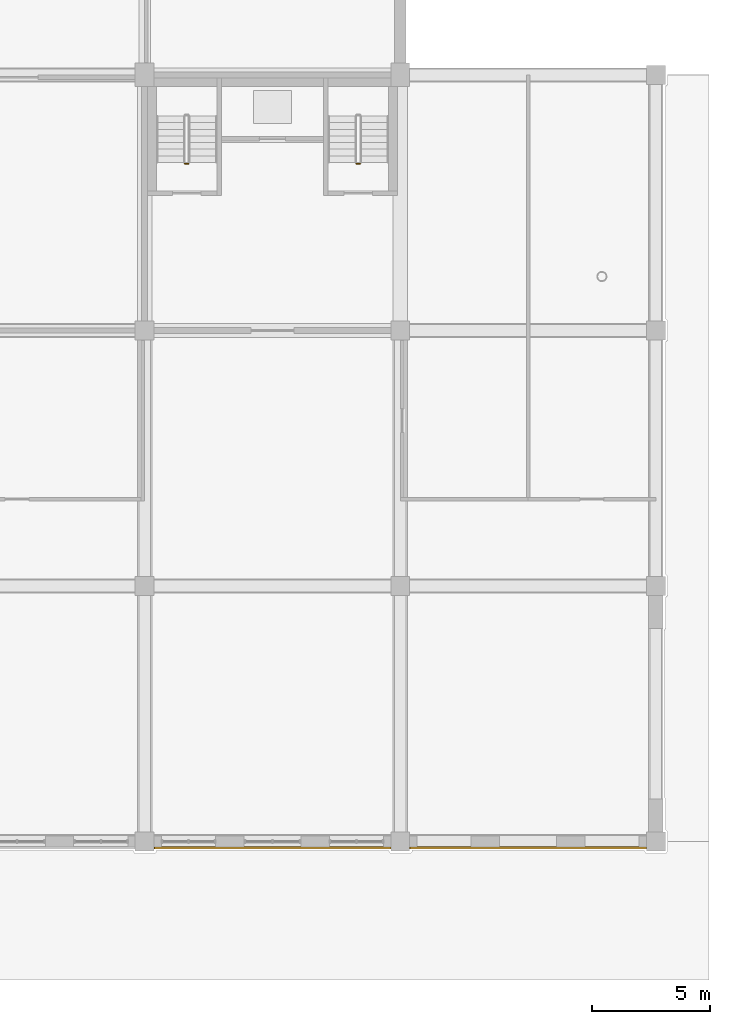
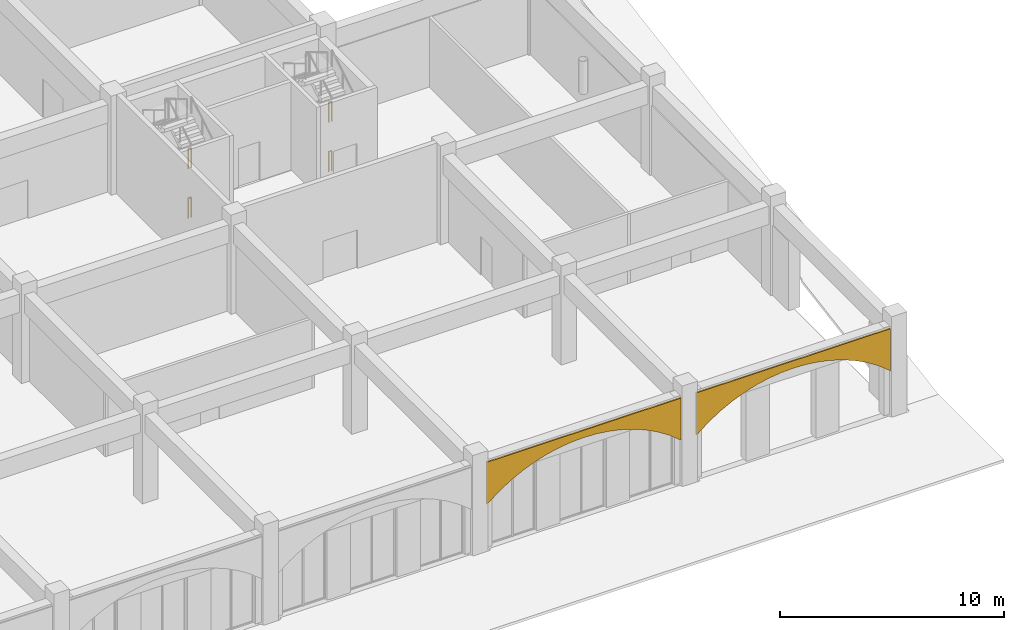
# One storey, part 93 of 101: 4 railings, 2 coverings.
"""IFC4 building model written with IfcOpenShell, lengths in metres."""

from ifc_helpers import new_model, si_unit, direction, frame, origin, origin_2d, place, context, subcontext, project, spatial, polyline, circle, outline, extrude, material, layer, layer_set, type_object, element, save


model = new_model("IFC4")

# Units and contexts
model_context = context("Model", 3, precision=1e-05, world=origin(), true_north=direction((0.0, 1.0)))
body_context = subcontext(model_context, "Body", "Model", "MODEL_VIEW")
ifc_project = project(units=[si_unit("LENGTHUNIT", "METRE"), si_unit("AREAUNIT", "SQUARE_METRE"), si_unit("VOLUMEUNIT", "CUBIC_METRE"), si_unit("PLANEANGLEUNIT", "RADIAN"), si_unit("MASSUNIT", "GRAM", prefix="KILO")], contexts=[model_context])

# Site, building, storey
site_placement = place(None, origin())
site = spatial("IfcSite", under=ifc_project, at=site_placement, CompositionType="ELEMENT")
building_placement = place(site_placement, origin())
building = spatial("IfcBuilding", under=site, at=building_placement, Name="Magnolia Steps Interchange", CompositionType="ELEMENT")
storey_placement = place(building_placement, frame((0.0, 0.0, -5.39990234375)))
storey = spatial("IfcBuildingStorey", under=building, at=storey_placement, Name="B1", CompositionType="ELEMENT", Elevation=-5.39990234375)

# Coverings
ifc_material_1 = material(Name="Lime render")
ifc_layer = layer(ifc_material_1, 0.080078125)
ifc_layer_set = layer_set([ifc_layer], Name="Lime render arch infill")
covering_type = type_object("IfcCoveringType", Name="Lime render arch infill", PredefinedType="CLADDING", material=ifc_layer_set)
for number, where, z_axis, x_axis, name in (
    (1, (172.39990234375, 9.77490234375, 2.39990234375), (0.0, 1.0, 0.0), (0.0, 0.0, 1.0), "Arch spandrel south edge 13"),
    (2, (183.199951171875, 9.77490234375, 2.39990234375), (0.0, 1.0, 0.0), (0.0, 0.0, 1.0), "Arch spandrel south edge 14"),
):
    element("IfcCovering", number, at=place(storey_placement, frame(where, z_axis=z_axis, x_axis=x_axis)), inside=storey, type_object=covering_type, Name=name, PredefinedType="CLADDING", context=body_context, shape_type="SweptSolid", body=[
        extrude(outline(polyline([(0.0, 0.0), (2.300048828, 0.0), (2.300048828, 10.0), (0.0, 10.0), (0.498291016, 9.375), (0.899658203, 8.75), (1.220703125, 8.125), (1.472900391, 7.5), (1.662841797, 6.875), (1.795410156, 6.25), (1.874023438, 5.625), (1.899902344, 5.0), (1.874023438, 4.375), (1.795410156, 3.75), (1.662841797, 3.125), (1.472900391, 2.5), (1.220703125, 1.875), (0.899658203, 1.25), (0.498291016, 0.625), (0.0, 0.0)])), origin(), (0.0, 0.0, -1.0), 0.080078125),
    ])

# Railings
ifc_material_2 = material(Name="Stainless steel grade 304", Category="steel")
railing_type = type_object("IfcRailingType", Name="Stair guard 1100", PredefinedType="GUARDRAIL", material=ifc_material_2)
for number, where, name in (
    (3, (173.85009765625, 38.64990234375, 2.699951171875), "B1 ST23 stair guard 4"),
    (4, (173.85009765625, 38.64990234375, 0.0), "B1 ST23 stair guard 8"),
    (5, (181.10009765625, 38.64990234375, 2.699951171875), "B1 ST24 stair guard 4"),
    (6, (181.10009765625, 38.64990234375, 0.0), "B1 ST24 stair guard 8"),
):
    element("IfcRailing", number, at=place(storey_placement, frame(where)), inside=storey, type_object=railing_type, Name=name, PredefinedType="GUARDRAIL", context=body_context, shape_type="SweptSolid", body=[
        extrude(circle(Radius=0.02392578125, at=origin_2d()), frame((0.0, 0.0, 1.076171875), z_axis=(-1.0, 0.0, 0.0), x_axis=(0.0, -1.0, 0.0)), (0.0, 0.0, 1.0), 0.150146484375),
        extrude(circle(Radius=0.02099609375, at=origin_2d()), origin(), (0.0, 0.0, 1.0), 1.052001953125),
        extrude(circle(Radius=0.02099609375, at=origin_2d()), frame((-0.150146484375, 0.0, 0.0)), (0.0, 0.0, 1.0), 1.052001953125),
    ])

save(model, "model.ifc")
